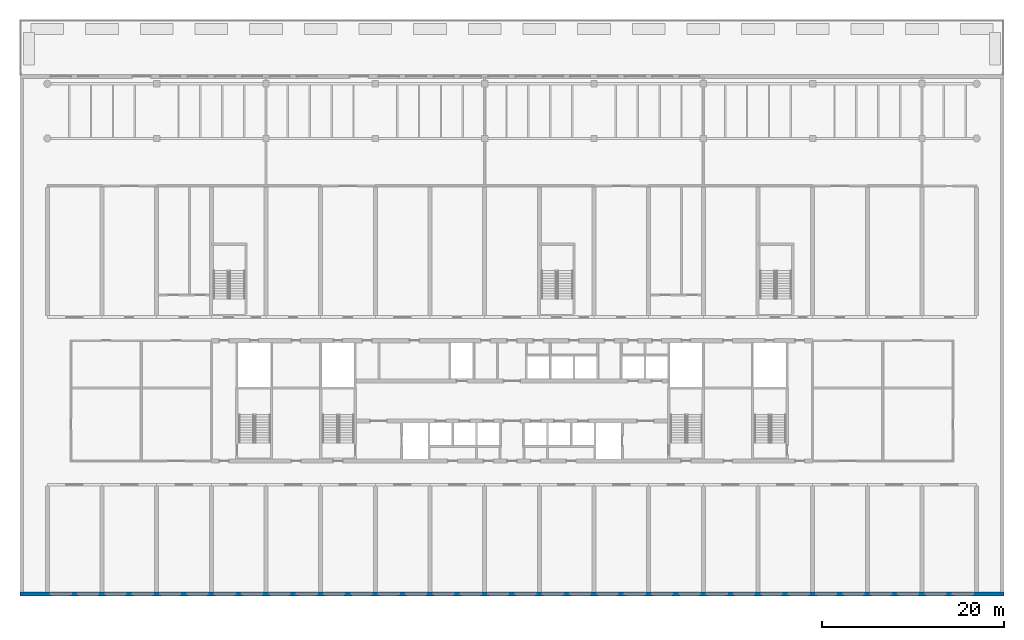
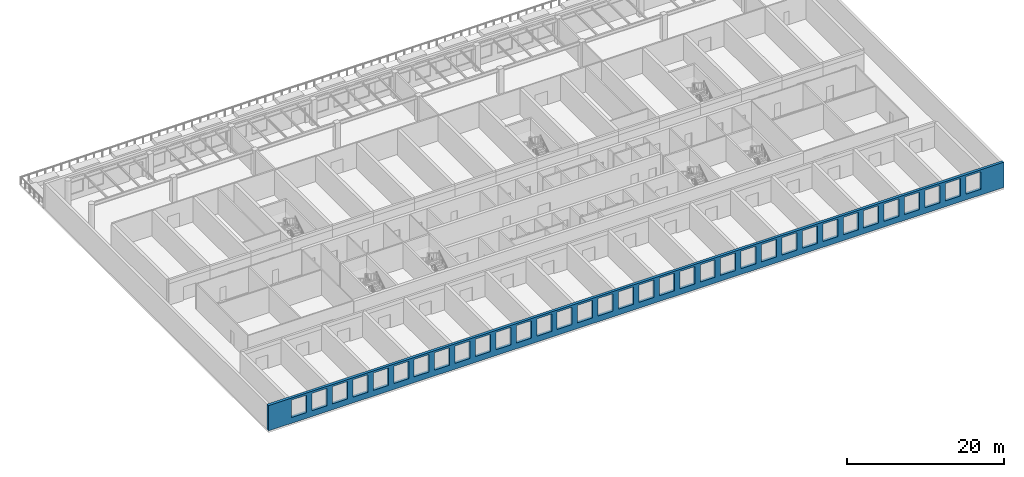
# One storey, part 4 of 16: 1 wall, 34 openings.
"""IFC4 building model written with IfcOpenShell, lengths in metres."""

from ifc_helpers import new_model, si_unit, direction, frame, frame_2d, origin, place, context, subcontext, project, spatial, rectangle, extrude, material, layer, layer_set, type_object, element, save


model = new_model("IFC4")

# Units and contexts
model_context = context("Model", 3, precision=1e-05, world=origin(), true_north=direction((0.0, 1.0)))
body_context = subcontext(model_context, "Body", "Model", "MODEL_VIEW")
ifc_project = project(units=[si_unit("LENGTHUNIT", "METRE"), si_unit("AREAUNIT", "SQUARE_METRE"), si_unit("VOLUMEUNIT", "CUBIC_METRE"), si_unit("PLANEANGLEUNIT", "RADIAN"), si_unit("MASSUNIT", "GRAM", prefix="KILO")], contexts=[model_context])

# Site, building, storey
site_placement = place(None, origin())
site = spatial("IfcSite", under=ifc_project, at=site_placement, CompositionType="ELEMENT")
building_placement = place(site_placement, origin())
building = spatial("IfcBuilding", under=site, at=building_placement, Name="Poui Terraces", CompositionType="ELEMENT")
storey_placement = place(building_placement, frame((0.0, 0.0, 15.0)))
storey = spatial("IfcBuildingStorey", under=building, at=storey_placement, Name="L03", CompositionType="ELEMENT", Elevation=15.0)

# Wall, openings
ifc_material = material(Name="Precast concrete 40 MPa", Category="concrete")
ifc_layer = layer(ifc_material, 0.39990234375)
ifc_layer_set = layer_set([ifc_layer], Name="Precast concrete 40 MPa")
wall_type = type_object("IfcWallType", Name="EXTERNAL WALL 400", PredefinedType="STANDARD", material=ifc_layer_set)
wall_placement = place(storey_placement, frame((-3.0, 0.0, 0.0), z_axis=(0.0, 0.0, 1.0), x_axis=(1.0, 0.0, 0.0)))
wall = element("IfcWall", 1, at=wall_placement, inside=storey, type_object=wall_type, Name="EXTERNAL WALL S", PredefinedType="STANDARD", context=body_context, shape_type="SweptSolid", body=[
    extrude(rectangle(XDim=108.0, YDim=0.39990234375, at=frame_2d((54.0, 0.0))), origin(), (0.0, 0.0, 1.0), 3.919921875),
])
opening_1_placement = place(wall_placement, frame((3.39990234375, 0.0, 0.89990234375)))
element("IfcOpeningElement", 2, at=opening_1_placement, cuts=wall, Name="Opening W4", PredefinedType="OPENING", context=body_context, shape_type="SweptSolid", body=[
    extrude(rectangle(XDim=2.199951171875, YDim=2.699951171875, at=frame_2d((1.10009765625, 1.35009765625))), frame((0.0, 0.2099609375, 0.0), z_axis=(0.0, -1.0, 0.0), x_axis=(1.0, 0.0, 0.0)), (0.0, 0.0, 1.0), 0.419921875),
])
opening_2_placement = place(wall_placement, frame((6.39990234375, 0.0, 0.89990234375)))
element("IfcOpeningElement", 3, at=opening_2_placement, cuts=wall, Name="Opening W4", PredefinedType="OPENING", context=body_context, shape_type="SweptSolid", body=[
    extrude(rectangle(XDim=2.199951171875, YDim=2.699951171875, at=frame_2d((1.10009765625, 1.35009765625))), frame((0.0, 0.2099609375, 0.0), z_axis=(0.0, -1.0, 0.0), x_axis=(1.0, 0.0, 0.0)), (0.0, 0.0, 1.0), 0.419921875),
])
opening_3_placement = place(wall_placement, frame((9.39990234375, 0.0, 0.89990234375)))
element("IfcOpeningElement", 4, at=opening_3_placement, cuts=wall, Name="Opening W4", PredefinedType="OPENING", context=body_context, shape_type="SweptSolid", body=[
    extrude(rectangle(XDim=2.199951171875, YDim=2.699951171875, at=frame_2d((1.10009765625, 1.35009765625))), frame((0.0, 0.2099609375, 0.0), z_axis=(0.0, -1.0, 0.0), x_axis=(1.0, 0.0, 0.0)), (0.0, 0.0, 1.0), 0.419921875),
])
opening_4_placement = place(wall_placement, frame((12.39990234375, 0.0, 0.89990234375)))
element("IfcOpeningElement", 5, at=opening_4_placement, cuts=wall, Name="Opening W4", PredefinedType="OPENING", context=body_context, shape_type="SweptSolid", body=[
    extrude(rectangle(XDim=2.199951171875, YDim=2.699951171875, at=frame_2d((1.10009765625, 1.35009765625))), frame((0.0, 0.2099609375, 0.0), z_axis=(0.0, -1.0, 0.0), x_axis=(1.0, 0.0, 0.0)), (0.0, 0.0, 1.0), 0.419921875),
])
opening_5_placement = place(wall_placement, frame((15.39990234375, 0.0, 0.89990234375)))
element("IfcOpeningElement", 6, at=opening_5_placement, cuts=wall, Name="Opening W4", PredefinedType="OPENING", context=body_context, shape_type="SweptSolid", body=[
    extrude(rectangle(XDim=2.199951171875, YDim=2.699951171875, at=frame_2d((1.10009765625, 1.35009765625))), frame((0.0, 0.2099609375, 0.0), z_axis=(0.0, -1.0, 0.0), x_axis=(1.0, 0.0, 0.0)), (0.0, 0.0, 1.0), 0.419921875),
])
opening_6_placement = place(wall_placement, frame((18.39990234375, 0.0, 0.89990234375)))
element("IfcOpeningElement", 7, at=opening_6_placement, cuts=wall, Name="Opening W4", PredefinedType="OPENING", context=body_context, shape_type="SweptSolid", body=[
    extrude(rectangle(XDim=2.199951171875, YDim=2.699951171875, at=frame_2d((1.10009765625, 1.35009765625))), frame((0.0, 0.2099609375, 0.0), z_axis=(0.0, -1.0, 0.0), x_axis=(1.0, 0.0, 0.0)), (0.0, 0.0, 1.0), 0.419921875),
])
opening_7_placement = place(wall_placement, frame((21.39990234375, 0.0, 0.89990234375)))
element("IfcOpeningElement", 8, at=opening_7_placement, cuts=wall, Name="Opening W4", PredefinedType="OPENING", context=body_context, shape_type="SweptSolid", body=[
    extrude(rectangle(XDim=2.199951171875, YDim=2.699951171875, at=frame_2d((1.10009765625, 1.35009765625))), frame((0.0, 0.2099609375, 0.0), z_axis=(0.0, -1.0, 0.0), x_axis=(1.0, 0.0, 0.0)), (0.0, 0.0, 1.0), 0.419921875),
])
opening_8_placement = place(wall_placement, frame((24.39990234375, 0.0, 0.89990234375)))
element("IfcOpeningElement", 9, at=opening_8_placement, cuts=wall, Name="Opening W4", PredefinedType="OPENING", context=body_context, shape_type="SweptSolid", body=[
    extrude(rectangle(XDim=2.199951171875, YDim=2.699951171875, at=frame_2d((1.10009765625, 1.35009765625))), frame((0.0, 0.2099609375, 0.0), z_axis=(0.0, -1.0, 0.0), x_axis=(1.0, 0.0, 0.0)), (0.0, 0.0, 1.0), 0.419921875),
])
opening_9_placement = place(wall_placement, frame((27.39990234375, 0.0, 0.89990234375)))
element("IfcOpeningElement", 10, at=opening_9_placement, cuts=wall, Name="Opening W4", PredefinedType="OPENING", context=body_context, shape_type="SweptSolid", body=[
    extrude(rectangle(XDim=2.199951171875, YDim=2.699951171875, at=frame_2d((1.10009765625, 1.35009765625))), frame((0.0, 0.2099609375, 0.0), z_axis=(0.0, -1.0, 0.0), x_axis=(1.0, 0.0, 0.0)), (0.0, 0.0, 1.0), 0.419921875),
])
opening_10_placement = place(wall_placement, frame((30.39990234375, 0.0, 0.89990234375)))
element("IfcOpeningElement", 11, at=opening_10_placement, cuts=wall, Name="Opening W4", PredefinedType="OPENING", context=body_context, shape_type="SweptSolid", body=[
    extrude(rectangle(XDim=2.199951171875, YDim=2.699951171875, at=frame_2d((1.10009765625, 1.35009765625))), frame((0.0, 0.2099609375, 0.0), z_axis=(0.0, -1.0, 0.0), x_axis=(1.0, 0.0, 0.0)), (0.0, 0.0, 1.0), 0.419921875),
])
opening_11_placement = place(wall_placement, frame((33.39990234375, 0.0, 0.89990234375)))
element("IfcOpeningElement", 12, at=opening_11_placement, cuts=wall, Name="Opening W4", PredefinedType="OPENING", context=body_context, shape_type="SweptSolid", body=[
    extrude(rectangle(XDim=2.199951171875, YDim=2.699951171875, at=frame_2d((1.10009765625, 1.35009765625))), frame((0.0, 0.2099609375, 0.0), z_axis=(0.0, -1.0, 0.0), x_axis=(1.0, 0.0, 0.0)), (0.0, 0.0, 1.0), 0.419921875),
])
opening_12_placement = place(wall_placement, frame((36.39990234375, 0.0, 0.89990234375)))
element("IfcOpeningElement", 13, at=opening_12_placement, cuts=wall, Name="Opening W4", PredefinedType="OPENING", context=body_context, shape_type="SweptSolid", body=[
    extrude(rectangle(XDim=2.199951171875, YDim=2.699951171875, at=frame_2d((1.10009765625, 1.35009765625))), frame((0.0, 0.2099609375, 0.0), z_axis=(0.0, -1.0, 0.0), x_axis=(1.0, 0.0, 0.0)), (0.0, 0.0, 1.0), 0.419921875),
])
opening_13_placement = place(wall_placement, frame((39.39990234375, 0.0, 0.89990234375)))
element("IfcOpeningElement", 14, at=opening_13_placement, cuts=wall, Name="Opening W4", PredefinedType="OPENING", context=body_context, shape_type="SweptSolid", body=[
    extrude(rectangle(XDim=2.199951171875, YDim=2.699951171875, at=frame_2d((1.10009765625, 1.35009765625))), frame((0.0, 0.2099609375, 0.0), z_axis=(0.0, -1.0, 0.0), x_axis=(1.0, 0.0, 0.0)), (0.0, 0.0, 1.0), 0.419921875),
])
opening_14_placement = place(wall_placement, frame((42.39990234375, 0.0, 0.89990234375)))
element("IfcOpeningElement", 15, at=opening_14_placement, cuts=wall, Name="Opening W4", PredefinedType="OPENING", context=body_context, shape_type="SweptSolid", body=[
    extrude(rectangle(XDim=2.199951171875, YDim=2.699951171875, at=frame_2d((1.10009765625, 1.35009765625))), frame((0.0, 0.2099609375, 0.0), z_axis=(0.0, -1.0, 0.0), x_axis=(1.0, 0.0, 0.0)), (0.0, 0.0, 1.0), 0.419921875),
])
opening_15_placement = place(wall_placement, frame((45.39990234375, 0.0, 0.89990234375)))
element("IfcOpeningElement", 16, at=opening_15_placement, cuts=wall, Name="Opening W4", PredefinedType="OPENING", context=body_context, shape_type="SweptSolid", body=[
    extrude(rectangle(XDim=2.199951171875, YDim=2.699951171875, at=frame_2d((1.10009765625, 1.35009765625))), frame((0.0, 0.2099609375, 0.0), z_axis=(0.0, -1.0, 0.0), x_axis=(1.0, 0.0, 0.0)), (0.0, 0.0, 1.0), 0.419921875),
])
opening_16_placement = place(wall_placement, frame((48.39990234375, 0.0, 0.89990234375)))
element("IfcOpeningElement", 17, at=opening_16_placement, cuts=wall, Name="Opening W4", PredefinedType="OPENING", context=body_context, shape_type="SweptSolid", body=[
    extrude(rectangle(XDim=2.199951171875, YDim=2.699951171875, at=frame_2d((1.10009765625, 1.35009765625))), frame((0.0, 0.2099609375, 0.0), z_axis=(0.0, -1.0, 0.0), x_axis=(1.0, 0.0, 0.0)), (0.0, 0.0, 1.0), 0.419921875),
])
opening_17_placement = place(wall_placement, frame((51.39990234375, 0.0, 0.89990234375)))
element("IfcOpeningElement", 18, at=opening_17_placement, cuts=wall, Name="Opening W4", PredefinedType="OPENING", context=body_context, shape_type="SweptSolid", body=[
    extrude(rectangle(XDim=2.199951171875, YDim=2.699951171875, at=frame_2d((1.10009765625, 1.35009765625))), frame((0.0, 0.2099609375, 0.0), z_axis=(0.0, -1.0, 0.0), x_axis=(1.0, 0.0, 0.0)), (0.0, 0.0, 1.0), 0.419921875),
])
opening_18_placement = place(wall_placement, frame((54.39990234375, 0.0, 0.89990234375)))
element("IfcOpeningElement", 19, at=opening_18_placement, cuts=wall, Name="Opening W4", PredefinedType="OPENING", context=body_context, shape_type="SweptSolid", body=[
    extrude(rectangle(XDim=2.199951171875, YDim=2.699951171875, at=frame_2d((1.10009765625, 1.35009765625))), frame((0.0, 0.2099609375, 0.0), z_axis=(0.0, -1.0, 0.0), x_axis=(1.0, 0.0, 0.0)), (0.0, 0.0, 1.0), 0.419921875),
])
opening_19_placement = place(wall_placement, frame((57.39990234375, 0.0, 0.89990234375)))
element("IfcOpeningElement", 20, at=opening_19_placement, cuts=wall, Name="Opening W4", PredefinedType="OPENING", context=body_context, shape_type="SweptSolid", body=[
    extrude(rectangle(XDim=2.199951171875, YDim=2.699951171875, at=frame_2d((1.10009765625, 1.35009765625))), frame((0.0, 0.2099609375, 0.0), z_axis=(0.0, -1.0, 0.0), x_axis=(1.0, 0.0, 0.0)), (0.0, 0.0, 1.0), 0.419921875),
])
opening_20_placement = place(wall_placement, frame((60.39990234375, 0.0, 0.89990234375)))
element("IfcOpeningElement", 21, at=opening_20_placement, cuts=wall, Name="Opening W4", PredefinedType="OPENING", context=body_context, shape_type="SweptSolid", body=[
    extrude(rectangle(XDim=2.199951171875, YDim=2.699951171875, at=frame_2d((1.10009765625, 1.35009765625))), frame((0.0, 0.2099609375, 0.0), z_axis=(0.0, -1.0, 0.0), x_axis=(1.0, 0.0, 0.0)), (0.0, 0.0, 1.0), 0.419921875),
])
opening_21_placement = place(wall_placement, frame((63.39990234375, 0.0, 0.89990234375)))
element("IfcOpeningElement", 22, at=opening_21_placement, cuts=wall, Name="Opening W4", PredefinedType="OPENING", context=body_context, shape_type="SweptSolid", body=[
    extrude(rectangle(XDim=2.199951171875, YDim=2.699951171875, at=frame_2d((1.10009765625, 1.35009765625))), frame((0.0, 0.2099609375, 0.0), z_axis=(0.0, -1.0, 0.0), x_axis=(1.0, 0.0, 0.0)), (0.0, 0.0, 1.0), 0.419921875),
])
opening_22_placement = place(wall_placement, frame((66.39990234375, 0.0, 0.89990234375)))
element("IfcOpeningElement", 23, at=opening_22_placement, cuts=wall, Name="Opening W4", PredefinedType="OPENING", context=body_context, shape_type="SweptSolid", body=[
    extrude(rectangle(XDim=2.199951171875, YDim=2.699951171875, at=frame_2d((1.10009765625, 1.35009765625))), frame((0.0, 0.2099609375, 0.0), z_axis=(0.0, -1.0, 0.0), x_axis=(1.0, 0.0, 0.0)), (0.0, 0.0, 1.0), 0.419921875),
])
opening_23_placement = place(wall_placement, frame((69.39990234375, 0.0, 0.89990234375)))
element("IfcOpeningElement", 24, at=opening_23_placement, cuts=wall, Name="Opening W4", PredefinedType="OPENING", context=body_context, shape_type="SweptSolid", body=[
    extrude(rectangle(XDim=2.199951171875, YDim=2.699951171875, at=frame_2d((1.10009765625, 1.35009765625))), frame((0.0, 0.2099609375, 0.0), z_axis=(0.0, -1.0, 0.0), x_axis=(1.0, 0.0, 0.0)), (0.0, 0.0, 1.0), 0.419921875),
])
opening_24_placement = place(wall_placement, frame((72.39990234375, 0.0, 0.89990234375)))
element("IfcOpeningElement", 25, at=opening_24_placement, cuts=wall, Name="Opening W4", PredefinedType="OPENING", context=body_context, shape_type="SweptSolid", body=[
    extrude(rectangle(XDim=2.199951171875, YDim=2.699951171875, at=frame_2d((1.10009765625, 1.35009765625))), frame((0.0, 0.2099609375, 0.0), z_axis=(0.0, -1.0, 0.0), x_axis=(1.0, 0.0, 0.0)), (0.0, 0.0, 1.0), 0.419921875),
])
opening_25_placement = place(wall_placement, frame((75.39990234375, 0.0, 0.89990234375)))
element("IfcOpeningElement", 26, at=opening_25_placement, cuts=wall, Name="Opening W4", PredefinedType="OPENING", context=body_context, shape_type="SweptSolid", body=[
    extrude(rectangle(XDim=2.199951171875, YDim=2.699951171875, at=frame_2d((1.10009765625, 1.35009765625))), frame((0.0, 0.2099609375, 0.0), z_axis=(0.0, -1.0, 0.0), x_axis=(1.0, 0.0, 0.0)), (0.0, 0.0, 1.0), 0.419921875),
])
opening_26_placement = place(wall_placement, frame((78.39990234375, 0.0, 0.89990234375)))
element("IfcOpeningElement", 27, at=opening_26_placement, cuts=wall, Name="Opening W4", PredefinedType="OPENING", context=body_context, shape_type="SweptSolid", body=[
    extrude(rectangle(XDim=2.199951171875, YDim=2.699951171875, at=frame_2d((1.10009765625, 1.35009765625))), frame((0.0, 0.2099609375, 0.0), z_axis=(0.0, -1.0, 0.0), x_axis=(1.0, 0.0, 0.0)), (0.0, 0.0, 1.0), 0.419921875),
])
opening_27_placement = place(wall_placement, frame((81.39990234375, 0.0, 0.89990234375)))
element("IfcOpeningElement", 28, at=opening_27_placement, cuts=wall, Name="Opening W4", PredefinedType="OPENING", context=body_context, shape_type="SweptSolid", body=[
    extrude(rectangle(XDim=2.199951171875, YDim=2.699951171875, at=frame_2d((1.10009765625, 1.35009765625))), frame((0.0, 0.2099609375, 0.0), z_axis=(0.0, -1.0, 0.0), x_axis=(1.0, 0.0, 0.0)), (0.0, 0.0, 1.0), 0.419921875),
])
opening_28_placement = place(wall_placement, frame((84.39990234375, 0.0, 0.89990234375)))
element("IfcOpeningElement", 29, at=opening_28_placement, cuts=wall, Name="Opening W4", PredefinedType="OPENING", context=body_context, shape_type="SweptSolid", body=[
    extrude(rectangle(XDim=2.199951171875, YDim=2.699951171875, at=frame_2d((1.10009765625, 1.35009765625))), frame((0.0, 0.2099609375, 0.0), z_axis=(0.0, -1.0, 0.0), x_axis=(1.0, 0.0, 0.0)), (0.0, 0.0, 1.0), 0.419921875),
])
opening_29_placement = place(wall_placement, frame((87.39990234375, 0.0, 0.89990234375)))
element("IfcOpeningElement", 30, at=opening_29_placement, cuts=wall, Name="Opening W4", PredefinedType="OPENING", context=body_context, shape_type="SweptSolid", body=[
    extrude(rectangle(XDim=2.199951171875, YDim=2.699951171875, at=frame_2d((1.10009765625, 1.35009765625))), frame((0.0, 0.2099609375, 0.0), z_axis=(0.0, -1.0, 0.0), x_axis=(1.0, 0.0, 0.0)), (0.0, 0.0, 1.0), 0.419921875),
])
opening_30_placement = place(wall_placement, frame((90.39990234375, 0.0, 0.89990234375)))
element("IfcOpeningElement", 31, at=opening_30_placement, cuts=wall, Name="Opening W4", PredefinedType="OPENING", context=body_context, shape_type="SweptSolid", body=[
    extrude(rectangle(XDim=2.199951171875, YDim=2.699951171875, at=frame_2d((1.10009765625, 1.35009765625))), frame((0.0, 0.2099609375, 0.0), z_axis=(0.0, -1.0, 0.0), x_axis=(1.0, 0.0, 0.0)), (0.0, 0.0, 1.0), 0.419921875),
])
opening_31_placement = place(wall_placement, frame((93.39990234375, 0.0, 0.89990234375)))
element("IfcOpeningElement", 32, at=opening_31_placement, cuts=wall, Name="Opening W4", PredefinedType="OPENING", context=body_context, shape_type="SweptSolid", body=[
    extrude(rectangle(XDim=2.199951171875, YDim=2.699951171875, at=frame_2d((1.10009765625, 1.35009765625))), frame((0.0, 0.2099609375, 0.0), z_axis=(0.0, -1.0, 0.0), x_axis=(1.0, 0.0, 0.0)), (0.0, 0.0, 1.0), 0.419921875),
])
opening_32_placement = place(wall_placement, frame((96.39990234375, 0.0, 0.89990234375)))
element("IfcOpeningElement", 33, at=opening_32_placement, cuts=wall, Name="Opening W4", PredefinedType="OPENING", context=body_context, shape_type="SweptSolid", body=[
    extrude(rectangle(XDim=2.199951171875, YDim=2.699951171875, at=frame_2d((1.10009765625, 1.35009765625))), frame((0.0, 0.2099609375, 0.0), z_axis=(0.0, -1.0, 0.0), x_axis=(1.0, 0.0, 0.0)), (0.0, 0.0, 1.0), 0.419921875),
])
opening_33_placement = place(wall_placement, frame((99.39990234375, 0.0, 0.89990234375)))
element("IfcOpeningElement", 34, at=opening_33_placement, cuts=wall, Name="Opening W4", PredefinedType="OPENING", context=body_context, shape_type="SweptSolid", body=[
    extrude(rectangle(XDim=2.199951171875, YDim=2.699951171875, at=frame_2d((1.10009765625, 1.35009765625))), frame((0.0, 0.2099609375, 0.0), z_axis=(0.0, -1.0, 0.0), x_axis=(1.0, 0.0, 0.0)), (0.0, 0.0, 1.0), 0.419921875),
])
opening_34_placement = place(wall_placement, frame((102.39990234375, 0.0, 0.89990234375)))
element("IfcOpeningElement", 35, at=opening_34_placement, cuts=wall, Name="Opening W4", PredefinedType="OPENING", context=body_context, shape_type="SweptSolid", body=[
    extrude(rectangle(XDim=2.199951171875, YDim=2.699951171875, at=frame_2d((1.10009765625, 1.35009765625))), frame((0.0, 0.2099609375, 0.0), z_axis=(0.0, -1.0, 0.0), x_axis=(1.0, 0.0, 0.0)), (0.0, 0.0, 1.0), 0.419921875),
])

save(model, "model.ifc")
